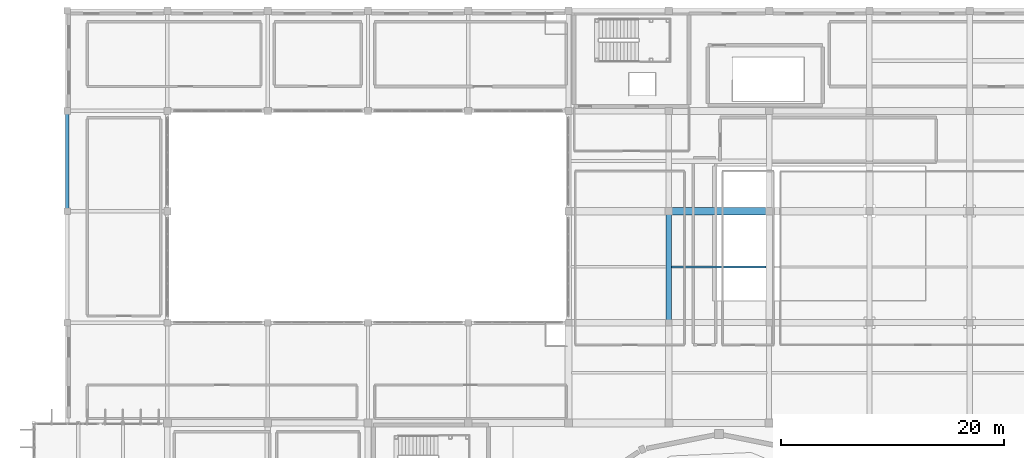
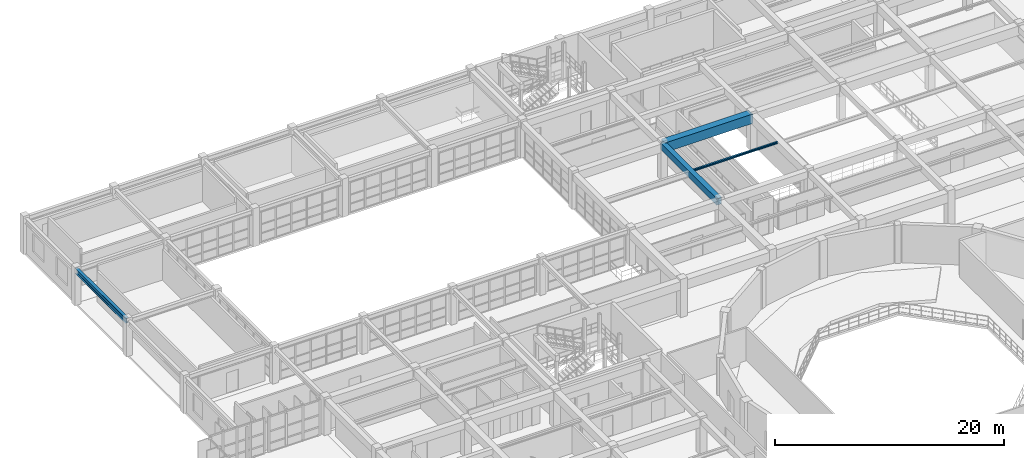
# One storey, part 60 of 110: 4 beams.
"""IFC4 building model written with IfcOpenShell, lengths in metres."""

from ifc_helpers import new_model, si_unit, direction, frame, origin, origin_2d, place, context, subcontext, project, spatial, rectangle, i_section, extrude, material, material_profile, profile_set, type_object, element, save


model = new_model("IFC4")

# Units and contexts
model_context = context("Model", 3, precision=1e-05, world=origin(), true_north=direction((0.0, 1.0)))
body_context = subcontext(model_context, "Body", "Model", "MODEL_VIEW")
ifc_project = project(units=[si_unit("LENGTHUNIT", "METRE"), si_unit("AREAUNIT", "SQUARE_METRE"), si_unit("VOLUMEUNIT", "CUBIC_METRE"), si_unit("PLANEANGLEUNIT", "RADIAN"), si_unit("MASSUNIT", "GRAM", prefix="KILO")], contexts=[model_context])

# Site, building, storey
site_placement = place(None, origin())
site = spatial("IfcSite", under=ifc_project, at=site_placement, CompositionType="ELEMENT")
building_placement = place(site_placement, origin())
building = spatial("IfcBuilding", under=site, at=building_placement, Name="Miravela Opera House", CompositionType="ELEMENT")
storey_placement = place(building_placement, frame((0.0, 0.0, 13.60009765625)))
storey = spatial("IfcBuildingStorey", under=building, at=storey_placement, Name="L03", CompositionType="ELEMENT", Elevation=13.60009765625)

# Beams
ifc_material_1 = material(Name="Concrete C35/45", Category="concrete")
ifc_material_profile_1 = material_profile(ifc_material_1, rectangle(XDim=0.5, YDim=0.699951171875, at=origin_2d()), Name="RC-BM-500X700")
ifc_profile_set_1 = profile_set([ifc_material_profile_1])
beam_type_1 = type_object("IfcBeamType", Name="STR-BM-RC500X700", PredefinedType="BEAM", material=ifc_profile_set_1)
beam_1_placement = place(storey_placement, frame((72.0, 84.080078125, 3.4599609375), z_axis=(0.0, 1.0, 0.0), x_axis=(-1.0, 0.0, 0.0)))
element("IfcBeam", 1, at=beam_1_placement, inside=storey, type_object=beam_type_1, Name="Floor Girder L03 9/J-K", PredefinedType="BEAM", context=body_context, shape_type="SweptSolid", body=[
    extrude(rectangle(XDim=0.5, YDim=0.699951171875, at=origin_2d()), origin(), (0.0, 0.0, 1.0), 9.83984375),
])
ifc_material_2 = material(Name="Concrete C40/50", Category="concrete")
ifc_material_profile_2 = material_profile(ifc_material_2, rectangle(XDim=0.699951171875, YDim=1.0, at=origin_2d()), Name="RC-BM-700X1000")
ifc_profile_set_2 = profile_set([ifc_material_profile_2])
beam_type_2 = type_object("IfcBeamType", Name="STR-BM-RC700X1000", PredefinedType="BEAM", material=ifc_profile_set_2)
beam_2_placement = place(storey_placement, frame((72.080078125, 94.0, 3.33984375), z_axis=(1.0, 0.0, 0.0), x_axis=(0.0, 1.0, 0.0)))
element("IfcBeam", 2, at=beam_2_placement, inside=storey, type_object=beam_type_2, Name="Floor Girder L03 9-10/K", PredefinedType="BEAM", context=body_context, shape_type="SweptSolid", body=[
    extrude(rectangle(XDim=0.699951171875, YDim=1.0, at=origin_2d()), origin(), (0.0, 0.0, 1.0), 8.83984375),
])
ifc_material_3 = material(Name="Structural steel ASTM A992 Gr. 50", Category="steel")
ifc_material_profile_3 = material_profile(ifc_material_3, i_section(OverallWidth=0.1650390625, OverallDepth=0.200927734375, WebThickness=0.006103515625, FlangeThickness=0.01025390625, FilletRadius=0.010009765625, at=origin_2d()), Name="W200X36")
ifc_profile_set_3 = profile_set([ifc_material_profile_3])
beam_type_3 = type_object("IfcBeamType", Name="STR-BM-W200X36", PredefinedType="LINTEL", material=ifc_profile_set_3)
beam_3_placement = place(storey_placement, frame((72.235107421875, 89.0, 3.70947265625), z_axis=(1.0, 0.0, 0.0), x_axis=(0.0, 1.0, 0.0)))
element("IfcBeam", 3, at=beam_3_placement, inside=storey, type_object=beam_type_3, Name="Secondary Floor Joist L03 9-10/J-K", PredefinedType="LINTEL", context=body_context, shape_type="SweptSolid", body=[
    extrude(i_section(OverallWidth=0.1650390625, OverallDepth=0.200927734375, WebThickness=0.006103515625, FlangeThickness=0.01025390625, FilletRadius=0.010009765625, at=origin_2d()), origin(), (0.0, 0.0, 1.0), 8.47998046875),
])
ifc_material_profile_4 = material_profile(ifc_material_3, i_section(OverallWidth=0.31201171875, OverallDepth=0.54296875, WebThickness=0.0126953125, FlangeThickness=0.020263671875, FilletRadius=0.01611328125, at=origin_2d()), Name="W530X150")
ifc_profile_set_4 = profile_set([ifc_material_profile_4])
beam_type_4 = type_object("IfcBeamType", Name="STR-BM-W530X150", PredefinedType="BEAM", material=ifc_profile_set_4)
beam_4_placement = place(storey_placement, frame((18.0, 94.080078125, 3.568359375), z_axis=(0.0, 1.0, 0.0), x_axis=(-1.0, 0.0, 0.0)))
element("IfcBeam", 4, at=beam_4_placement, inside=storey, type_object=beam_type_4, Name="Roof Eave Girder ROOF-V3-WEST-M W2", PredefinedType="BEAM", context=body_context, shape_type="SweptSolid", body=[
    extrude(i_section(OverallWidth=0.31201171875, OverallDepth=0.54296875, WebThickness=0.0126953125, FlangeThickness=0.020263671875, FilletRadius=0.01611328125, at=origin_2d()), origin(), (0.0, 0.0, 1.0), 8.83984375),
])

save(model, "model.ifc")
